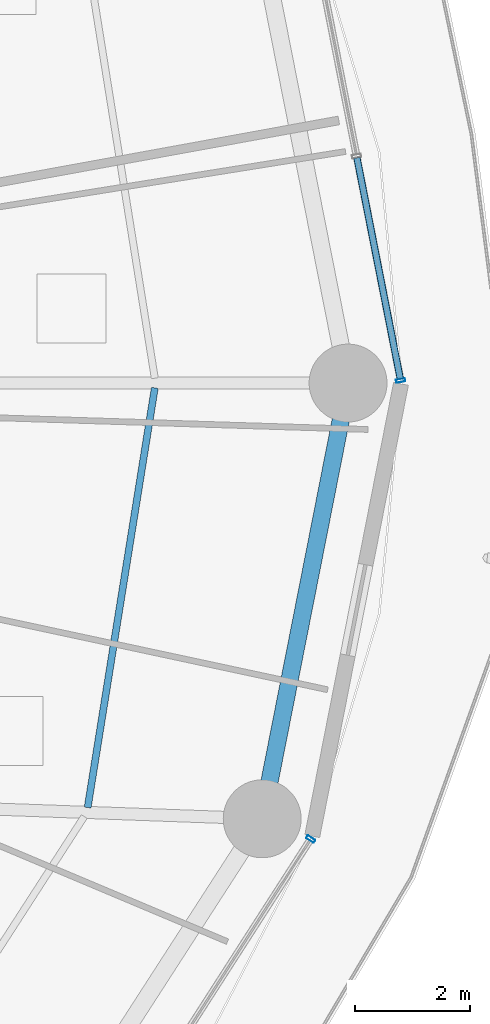
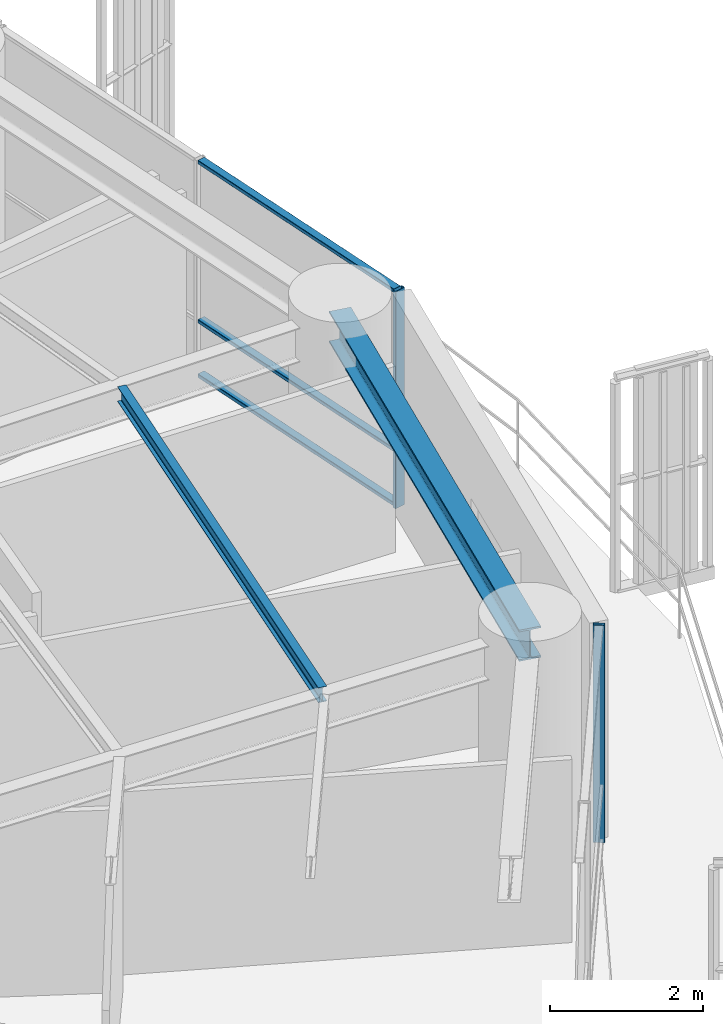
# One storey, part 13 of 33: 5 members, 2 beams, 2 elements without a shape of their own.
"""IFC4 building model written with IfcOpenShell, lengths in metres."""

from ifc_helpers import new_model, si_unit, direction, frame, origin, origin_2d, place, context, subcontext, project, spatial, hollow_rectangle, i_section, extrude, material, layer, layer_set, material_profile, profile_set, type_object, element, aggregate, save


model = new_model("IFC4")

# Units and contexts
model_context = context("Model", 3, precision=1e-05, world=origin(), true_north=direction((0.0, 1.0)))
body_context = subcontext(model_context, "Body", "Model", "MODEL_VIEW")
ifc_project = project(units=[si_unit("LENGTHUNIT", "METRE"), si_unit("AREAUNIT", "SQUARE_METRE"), si_unit("VOLUMEUNIT", "CUBIC_METRE"), si_unit("PLANEANGLEUNIT", "RADIAN"), si_unit("MASSUNIT", "GRAM", prefix="KILO")], contexts=[model_context])

# Site, building, storey
site_placement = place(None, origin())
site = spatial("IfcSite", under=ifc_project, at=site_placement, CompositionType="ELEMENT")
building_placement = place(site_placement, origin())
building = spatial("IfcBuilding", under=site, at=building_placement, Name="Kelanora Arch Commons", CompositionType="ELEMENT")
storey_placement = place(building_placement, frame((0.0, 0.0, 83.85009765625)))
storey = spatial("IfcBuildingStorey", under=building, at=storey_placement, Name="L21", CompositionType="ELEMENT", Elevation=83.85009765625)

# Beams
ifc_material_1 = material(Name="Steel S355", Category="steel")
ifc_material_profile_1 = material_profile(ifc_material_1, i_section(OverallWidth=0.1201171875, OverallDepth=0.239990234375, WebThickness=0.006103515625, FlangeThickness=0.009765625, FilletRadius=0.014892578125, at=origin_2d()), Name="IPE240")
ifc_profile_set_1 = profile_set([ifc_material_profile_1], Name="Steel S355")
beam_type_1 = type_object("IfcBeamType", Name="BM-JST-02", PredefinedType="JOIST", material=ifc_profile_set_1)
beam_1_placement = place(storey_placement, frame((94.166748046875, 50.642578125, 3.369873046875), z_axis=(0.157999549894, 0.987439184068, 0.0), x_axis=(-0.987439184068, 0.157999549894, 0.0)))
element("IfcBeam", 1, at=beam_1_placement, inside=storey, type_object=beam_type_1, Name="Secondary Chord Joist BJC-34 L21", PredefinedType="JOIST", context=body_context, shape_type="SweptSolid", body=[
    extrude(i_section(OverallWidth=0.1201171875, OverallDepth=0.239990234375, WebThickness=0.006103515625, FlangeThickness=0.009765625, FilletRadius=0.014892578125, at=origin_2d()), origin(), (0.0, 0.0, 1.0), 7.365966796875),
])
ifc_material_profile_2 = material_profile(ifc_material_1, i_section(OverallWidth=0.300048828125, OverallDepth=0.5, WebThickness=0.014404296875, FlangeThickness=0.028076171875, FilletRadius=0.027099609375, at=origin_2d()), Name="HEB500")
ifc_profile_set_2 = profile_set([ifc_material_profile_2], Name="Steel S355")
beam_type_2 = type_object("IfcBeamType", Name="BM-SPN-Z2", PredefinedType="SPANDREL", material=ifc_profile_set_2)
beam_2_placement = place(storey_placement, frame((97.191650390625, 50.4482421875, 3.239990234375), z_axis=(0.19335825777, 0.981128220037, 0.0), x_axis=(-0.981128220037, 0.19335825777, 0.0)))
element("IfcBeam", 2, at=beam_2_placement, inside=storey, type_object=beam_type_2, Name="Perimeter Spandrel Beam BS-34 L21", PredefinedType="SPANDREL", context=body_context, shape_type="SweptSolid", body=[
    extrude(i_section(OverallWidth=0.300048828125, OverallDepth=0.5, WebThickness=0.014404296875, FlangeThickness=0.028076171875, FilletRadius=0.027099609375, at=origin_2d()), origin(), (0.0, 0.0, 1.0), 7.697021484375),
])

# Curtain wall, member
ifc_material_2 = material(Name="Terracotta ceramic-fritted low-E glass and aluminium", Category="masonry")
ifc_layer = layer(ifc_material_2, 0.159912109375)
ifc_layer_set = layer_set([ifc_layer], Name="Terracotta ceramic-fritted low-E glass and aluminium")
curtain_wall_type = type_object("IfcCurtainWallType", Name="CW-SYS-01", PredefinedType="NOTDEFINED", material=ifc_layer_set)
curtain_wall_1_placement = place(storey_placement, origin())
curtain_wall_1 = element("IfcCurtainWall", 3, at=curtain_wall_1_placement, inside=storey, type_object=curtain_wall_type, Name="Unitised Curtain Wall L21-B00", PredefinedType="NOTDEFINED")
ifc_material_3 = material(Name="Powder-coated aluminium terracotta", Category="masonry")
ifc_material_profile_3 = material_profile(ifc_material_3, hollow_rectangle(XDim=0.159912109375, YDim=0.06005859375, WallThickness=0.0048828125, InnerFilletRadius=0.0048828125, OuterFilletRadius=0.010009765625, at=origin_2d()), Name="CWM160x60")
ifc_profile_set_3 = profile_set([ifc_material_profile_3], Name="Powder-coated aluminium terracotta")
member_type_1 = type_object("IfcMemberType", Name="CWM-STD", PredefinedType="MULLION", material=ifc_profile_set_3)
member_1_placement = place(storey_placement, frame((99.59130859375, 58.044189453125, 0.0), z_axis=(0.0, 0.0, 1.0), x_axis=(-0.981280311646, -0.192584916272, 0.0)))
member_1 = element("IfcMember", 4, at=member_1_placement, type_object=member_type_1, Name="CW-01 mullion 1", PredefinedType="MULLION", context=body_context, shape_type="SweptSolid", body=[
    extrude(hollow_rectangle(XDim=0.159912109375, YDim=0.06005859375, WallThickness=0.0048828125, InnerFilletRadius=0.0048828125, OuterFilletRadius=0.010009765625, at=origin_2d()), origin(), (0.0, 0.0, 1.0), 3.474853515625),
])

curtain_wall_2_placement = place(storey_placement, origin())
curtain_wall_2 = element("IfcCurtainWall", 5, at=curtain_wall_2_placement, inside=storey, type_object=curtain_wall_type, Name="Unitised Curtain Wall L21-B16", PredefinedType="NOTDEFINED")
member_2_placement = place(storey_placement, frame((98.03173828125, 50.095703125, 0.0), z_axis=(0.0, 0.0, 1.0), x_axis=(-0.841268883088, 0.540616931244, 0.0)))
member_2 = element("IfcMember", 6, at=member_2_placement, type_object=member_type_1, Name="CW-01 mullion 3", PredefinedType="MULLION", context=body_context, shape_type="SweptSolid", body=[
    extrude(hollow_rectangle(XDim=0.159912109375, YDim=0.06005859375, WallThickness=0.0048828125, InnerFilletRadius=0.0048828125, OuterFilletRadius=0.010009765625, at=origin_2d()), origin(), (0.0, 0.0, 1.0), 3.474853515625),
])
aggregate(curtain_wall_2, [member_2])

# Member
ifc_material_profile_4 = material_profile(ifc_material_3, hollow_rectangle(XDim=0.1201171875, YDim=0.06005859375, WallThickness=0.0048828125, InnerFilletRadius=0.0048828125, OuterFilletRadius=0.010009765625, at=origin_2d()), Name="CWT120x60")
ifc_profile_set_4 = profile_set([ifc_material_profile_4], Name="Powder-coated aluminium terracotta")
member_type_2 = type_object("IfcMemberType", Name="CWT-STD", PredefinedType="USERDEFINED", material=ifc_profile_set_4)
member_3_placement = place(storey_placement, frame((99.58544921875, 58.073486328125, 0.02978515625), z_axis=(-0.192578614785, 0.981281548348, 0.0), x_axis=(-0.981281548348, -0.192578614785, 0.0)))
member_3 = element("IfcMember", 7, at=member_3_placement, type_object=member_type_2, Name="CW-01 transom 1.1", ObjectType="TRANSOM", PredefinedType="USERDEFINED", context=body_context, shape_type="SweptSolid", body=[
    extrude(hollow_rectangle(XDim=0.1201171875, YDim=0.06005859375, WallThickness=0.0048828125, InnerFilletRadius=0.0048828125, OuterFilletRadius=0.010009765625, at=origin_2d()), origin(), (0.0, 0.0, 1.0), 3.9033203125),
])

member_4_placement = place(storey_placement, frame((99.58544921875, 58.073486328125, 0.89990234375), z_axis=(-0.192578614785, 0.981281548348, 0.0), x_axis=(-0.981281548348, -0.192578614785, 0.0)))
member_4 = element("IfcMember", 8, at=member_4_placement, type_object=member_type_2, Name="CW-01 transom 1.2", ObjectType="TRANSOM", PredefinedType="USERDEFINED", context=body_context, shape_type="SweptSolid", body=[
    extrude(hollow_rectangle(XDim=0.1201171875, YDim=0.06005859375, WallThickness=0.0048828125, InnerFilletRadius=0.0048828125, OuterFilletRadius=0.010009765625, at=origin_2d()), origin(), (0.0, 0.0, 1.0), 3.9033203125),
])

member_5_placement = place(storey_placement, frame((99.58544921875, 58.073486328125, 3.44482421875), z_axis=(-0.192578614785, 0.981281548348, 0.0), x_axis=(-0.981281548348, -0.192578614785, 0.0)))
member_5 = element("IfcMember", 9, at=member_5_placement, type_object=member_type_2, Name="CW-01 transom 1.3", ObjectType="TRANSOM", PredefinedType="USERDEFINED", context=body_context, shape_type="SweptSolid", body=[
    extrude(hollow_rectangle(XDim=0.1201171875, YDim=0.06005859375, WallThickness=0.0048828125, InnerFilletRadius=0.0048828125, OuterFilletRadius=0.010009765625, at=origin_2d()), origin(), (0.0, 0.0, 1.0), 3.9033203125),
])

aggregate(curtain_wall_1, [member_1, member_3, member_4, member_5])

save(model, "model.ifc")
